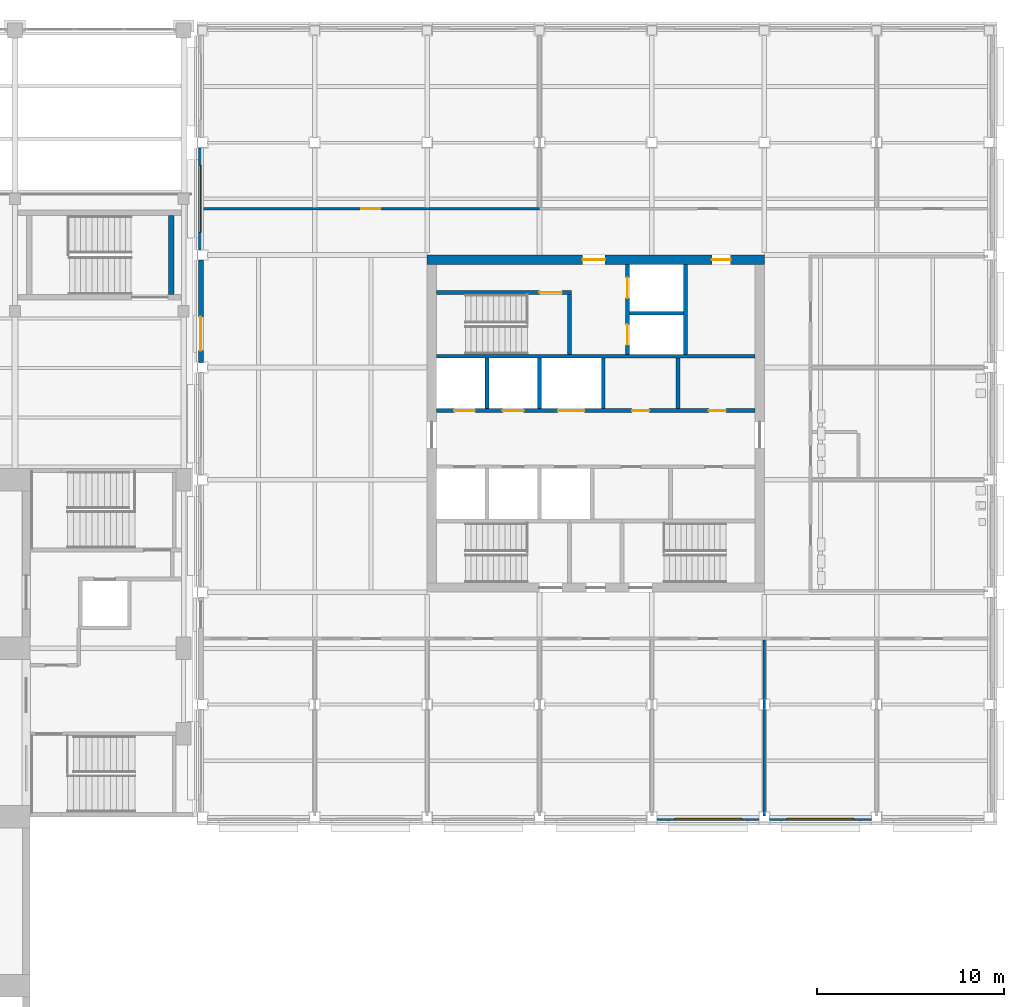
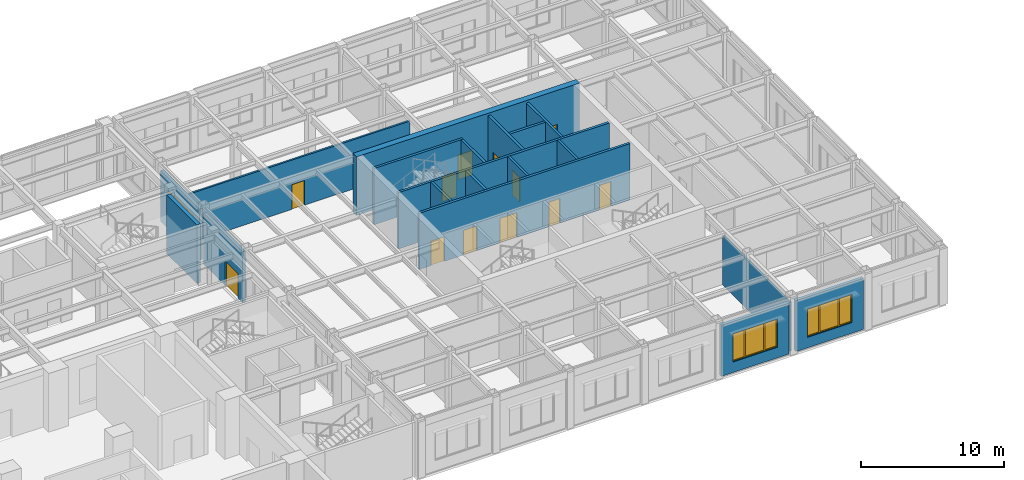
# One storey, part 42 of 76: 19 walls, 12 doors, 3 windows, 15 openings.
"""IFC4 building model written with IfcOpenShell, lengths in metres."""

from ifc_helpers import new_model, si_unit, direction, frame, frame_2d, origin, place, context, subcontext, project, spatial, polyline, rectangle, outline, extrude, material, layer, layer_set, type_object, element, fill, save


model = new_model("IFC4")

# Units and contexts
model_context = context("Model", 3, precision=1e-05, world=origin(), true_north=direction((0.0, 1.0)))
body_context = subcontext(model_context, "Body", "Model", "MODEL_VIEW")
ifc_project = project(units=[si_unit("LENGTHUNIT", "METRE"), si_unit("AREAUNIT", "SQUARE_METRE"), si_unit("VOLUMEUNIT", "CUBIC_METRE"), si_unit("PLANEANGLEUNIT", "RADIAN"), si_unit("MASSUNIT", "GRAM", prefix="KILO")], contexts=[model_context])

# Site, building, storey
site_placement = place(None, origin())
site = spatial("IfcSite", under=ifc_project, at=site_placement, CompositionType="ELEMENT")
building_placement = place(site_placement, origin())
building = spatial("IfcBuilding", under=site, at=building_placement, Name="Aravalli Gate Trade Fair Centre", CompositionType="ELEMENT")
storey_placement = place(building_placement, frame((0.0, 0.0, 10.0)))
storey = spatial("IfcBuildingStorey", under=building, at=storey_placement, Name="L02", CompositionType="ELEMENT", Elevation=10.0)

# Walls
ifc_material_1 = material(Name="Concrete M40", Category="concrete")
ifc_layer_1 = layer(ifc_material_1, 0.300048828125)
ifc_layer_set_1 = layer_set([ifc_layer_1], Name="Concrete M40")
wall_type_1 = type_object("IfcWallType", Name="RC core wall 300", PredefinedType="SHEAR", material=ifc_layer_set_1)
wall_1_placement = place(storey_placement, frame((158.35009765625, 118.89990234375, 0.0), z_axis=(0.0, 0.0, 1.0), x_axis=(0.0, 1.0, 0.0)))
element("IfcWall", 1, at=wall_1_placement, inside=storey, type_object=wall_type_1, Name="Core wall ESE L02", PredefinedType="SHEAR", context=body_context, shape_type="SweptSolid", body=[
    extrude(rectangle(XDim=4.2001953125, YDim=0.300048828125, at=frame_2d((2.10009765625, 0.0))), origin(), (0.0, 0.0, 1.0), 5.0),
])
ifc_material_2 = material(Name="Concrete M30", Category="concrete")
ifc_layer_2 = layer(ifc_material_2, 0.199951171875)
ifc_layer_set_2 = layer_set([ifc_layer_2], Name="Concrete M30")
wall_type_2 = type_object("IfcWallType", Name="Wing core internal wall 200 (EI 120, core wall)", PredefinedType="SOLIDWALL", material=ifc_layer_set_2)
wall_2_placement = place(storey_placement, frame((172.5, 115.60009765625, 0.0), z_axis=(0.0, 0.0, 1.0), x_axis=(1.0, 0.0, 0.0)))
element("IfcWall", 2, at=wall_2_placement, inside=storey, type_object=wall_type_2, Name="Core wall N-REAR L02", PredefinedType="SOLIDWALL", context=body_context, shape_type="SweptSolid", body=[
    extrude(rectangle(XDim=17.0, YDim=0.199951171875, at=frame_2d((8.5, 0.0))), origin(), (0.0, 0.0, 1.0), 4.800048828125),
])
ifc_layer_3 = layer(ifc_material_2, 0.199951171875)
ifc_layer_set_3 = layer_set([ifc_layer_3], Name="Concrete M30")
wall_type_3 = type_object("IfcWallType", Name="Wing core internal wall 200 (EI 120, firefighting shaft)", PredefinedType="SOLIDWALL", material=ifc_layer_set_3)
wall_3_placement = place(storey_placement, frame((179.60009765625, 115.699951171875, 0.0), z_axis=(0.0, 0.0, 1.0), x_axis=(0.0, 1.0, 0.0)))
element("IfcWall", 3, at=wall_3_placement, inside=storey, type_object=wall_type_3, Name="Core wall FF-AB L02", PredefinedType="SOLIDWALL", context=body_context, shape_type="SweptSolid", body=[
    extrude(rectangle(XDim=3.199951171875, YDim=0.199951171875, at=frame_2d((1.60009765625, 0.0))), origin(), (0.0, 0.0, 1.0), 4.800048828125),
])

# Wall, opening, door
wall_4_placement = place(storey_placement, frame((172.5, 119.0, 0.0), z_axis=(0.0, 0.0, 1.0), x_axis=(1.0, 0.0, 0.0)))
wall_4 = element("IfcWall", 4, at=wall_4_placement, inside=storey, type_object=wall_type_3, Name="Core wall FF-N L02", PredefinedType="SOLIDWALL", context=body_context, shape_type="SweptSolid", body=[
    extrude(rectangle(XDim=7.199951171875, YDim=0.199951171875, at=frame_2d((3.60009765625, 0.0))), origin(), (0.0, 0.0, 1.0), 4.800048828125),
])
opening_1_placement = place(wall_4_placement, frame((5.5, 0.0, 0.0)))
opening_1 = element("IfcOpeningElement", 5, at=opening_1_placement, cuts=wall_4, Name="Opening T-L02-131", PredefinedType="OPENING", context=body_context, shape_type="SweptSolid", body=[
    extrude(rectangle(XDim=1.199951171875, YDim=2.10009765625, at=frame_2d((0.60009765625, 1.050048828125))), frame((0.0, 0.10986328125, 0.0), z_axis=(0.0, -1.0, 0.0), x_axis=(1.0, 0.0, 0.0)), (0.0, 0.0, 1.0), 0.219970703125),
])
ifc_material_3 = material(Name="Steel, fire rated", Category="steel")
door_type_1 = type_object("IfcDoorType", Name="Wing fire door FD120 1200 x 2100", OperationType="SINGLE_SWING_LEFT", PredefinedType="DOOR", material=ifc_material_3)
door_1_placement = place(opening_1_placement, frame((1.199951171875, 0.0, 0.0), z_axis=(0.0, 0.0, 1.0), x_axis=(-1.0, 0.0, 0.0)))
door_1 = element("IfcDoor", 6, at=door_1_placement, inside=storey, type_object=door_type_1, Name="Core door T-L02-131", OperationType="SINGLE_SWING_LEFT", OverallHeight=2.10009765625, OverallWidth=1.199951171875, PredefinedType="DOOR", context=body_context, shape_type="SweptSolid", body=[
    extrude(rectangle(XDim=1.199951171875, YDim=2.10009765625, at=frame_2d((0.60009765625, 1.050048828125))), frame((0.0, 0.02490234375, 0.0), z_axis=(0.0, -1.0, 0.0), x_axis=(1.0, 0.0, 0.0)), (0.0, 0.0, 1.0), 0.050048828125),
])
fill(opening_1, door_1)

# Wall, openings, doors
wall_5_placement = place(storey_placement, frame((182.699951171875, 115.699951171875, 0.0), z_axis=(0.0, 0.0, 1.0), x_axis=(0.0, 1.0, 0.0)))
wall_5 = element("IfcWall", 7, at=wall_5_placement, inside=storey, type_object=wall_type_3, Name="Core wall FF-BC L02", PredefinedType="SOLIDWALL", context=body_context, shape_type="SweptSolid", body=[
    extrude(rectangle(XDim=4.800048828125, YDim=0.199951171875, at=frame_2d((2.39990234375, 0.0))), origin(), (0.0, 0.0, 1.0), 4.800048828125),
])
opening_2_placement = place(wall_5_placement, frame((0.5, 0.0, 0.0)))
opening_2 = element("IfcOpeningElement", 8, at=opening_2_placement, cuts=wall_5, Name="Opening T-L02-132", PredefinedType="OPENING", context=body_context, shape_type="SweptSolid", body=[
    extrude(rectangle(XDim=1.10009765625, YDim=2.10009765625, at=frame_2d((0.550048828125, 1.050048828125))), frame((0.0, 0.10986328125, 0.0), z_axis=(0.0, -1.0, 0.0), x_axis=(1.0, 0.0, 0.0)), (0.0, 0.0, 1.0), 0.219970703125),
])
opening_3_placement = place(wall_5_placement, frame((3.0, 0.0, 0.0)))
opening_3 = element("IfcOpeningElement", 9, at=opening_3_placement, cuts=wall_5, Name="Opening T-L02-133", PredefinedType="OPENING", context=body_context, shape_type="SweptSolid", body=[
    extrude(rectangle(XDim=1.10009765625, YDim=2.10009765625, at=frame_2d((0.550048828125, 1.050048828125))), frame((0.0, 0.10986328125, 0.0), z_axis=(0.0, -1.0, 0.0), x_axis=(1.0, 0.0, 0.0)), (0.0, 0.0, 1.0), 0.219970703125),
])
ifc_material_4 = material(Name="Elevator door panels")
door_type_2 = type_object("IfcDoorType", Name="Wing lift landing door 1100 x 2100", OperationType="SLIDING_TO_LEFT", PredefinedType="DOOR", material=ifc_material_4)
door_2_placement = place(opening_2_placement, origin())
door_2 = element("IfcDoor", 10, at=door_2_placement, inside=storey, type_object=door_type_2, Name="Landing door T-L02-132", OperationType="SLIDING_TO_LEFT", OverallHeight=2.10009765625, OverallWidth=1.10009765625, PredefinedType="DOOR", context=body_context, shape_type="SweptSolid", body=[
    extrude(rectangle(XDim=1.10009765625, YDim=2.10009765625, at=frame_2d((0.550048828125, 1.050048828125))), frame((0.0, 0.02490234375, 0.0), z_axis=(0.0, -1.0, 0.0), x_axis=(1.0, 0.0, 0.0)), (0.0, 0.0, 1.0), 0.050048828125),
])
fill(opening_2, door_2)
door_3_placement = place(opening_3_placement, origin())
door_3 = element("IfcDoor", 11, at=door_3_placement, inside=storey, type_object=door_type_2, Name="Landing door T-L02-133", OperationType="SLIDING_TO_LEFT", OverallHeight=2.10009765625, OverallWidth=1.10009765625, PredefinedType="DOOR", context=body_context, shape_type="SweptSolid", body=[
    extrude(rectangle(XDim=1.10009765625, YDim=2.10009765625, at=frame_2d((0.550048828125, 1.050048828125))), frame((0.0, 0.02490234375, 0.0), z_axis=(0.0, -1.0, 0.0), x_axis=(1.0, 0.0, 0.0)), (0.0, 0.0, 1.0), 0.050048828125),
])
fill(opening_3, door_3)

# Walls
wall_6_placement = place(storey_placement, frame((182.800048828125, 117.89990234375, 0.0), z_axis=(0.0, 0.0, 1.0), x_axis=(1.0, 0.0, 0.0)))
element("IfcWall", 12, at=wall_6_placement, inside=storey, type_object=wall_type_3, Name="Core wall FF-MID L02", PredefinedType="SOLIDWALL", context=body_context, shape_type="SweptSolid", body=[
    extrude(rectangle(XDim=2.89990234375, YDim=0.199951171875, at=frame_2d((1.449951171875, 0.0))), origin(), (0.0, 0.0, 1.0), 4.800048828125),
])
wall_7_placement = place(storey_placement, frame((185.800048828125, 115.699951171875, 0.0), z_axis=(0.0, 0.0, 1.0), x_axis=(0.0, 1.0, 0.0)))
element("IfcWall", 13, at=wall_7_placement, inside=storey, type_object=wall_type_3, Name="Core wall FF-CD L02", PredefinedType="SOLIDWALL", context=body_context, shape_type="SweptSolid", body=[
    extrude(rectangle(XDim=4.800048828125, YDim=0.199951171875, at=frame_2d((2.39990234375, 0.0))), origin(), (0.0, 0.0, 1.0), 4.800048828125),
])
ifc_layer_4 = layer(ifc_material_2, 0.199951171875)
ifc_layer_set_4 = layer_set([ifc_layer_4], Name="Concrete M30")
wall_type_4 = type_object("IfcWallType", Name="Wing core internal wall 200 (EI 120, lift shaft)", PredefinedType="SOLIDWALL", material=ifc_layer_set_4)
for number, where, z_axis, x_axis, name in (
    (14, (175.199951171875, 112.800048828125, 0.0), (0.0, 0.0, 1.0), (0.0, 1.0, 0.0), "Core wall NB-3.2 L02"),
    (15, (178.0, 112.800048828125, 0.0), (0.0, 0.0, 1.0), (0.0, 1.0, 0.0), "Core wall NB-6.0 L02"),
    (16, (181.39990234375, 112.800048828125, 0.0), (0.0, 0.0, 1.0), (0.0, 1.0, 0.0), "Core wall NB-9 L02"),
):
    element("IfcWall", number, at=place(storey_placement, frame(where, z_axis=z_axis, x_axis=x_axis)), inside=storey, type_object=wall_type_4, Name=name, PredefinedType="SOLIDWALL", context=body_context, shape_type="SweptSolid", body=[
        extrude(rectangle(XDim=2.699951171875, YDim=0.199951171875, at=frame_2d((1.35009765625, 0.0))), origin(), (0.0, 0.0, 1.0), 4.800048828125),
    ])

# Wall, openings, doors
wall_8_placement = place(storey_placement, frame((172.5, 112.699951171875, 0.0), z_axis=(0.0, 0.0, 1.0), x_axis=(1.0, 0.0, 0.0)))
wall_8 = element("IfcWall", 17, at=wall_8_placement, inside=storey, type_object=wall_type_4, Name="Core wall N-FRONT L02", PredefinedType="SOLIDWALL", context=body_context, shape_type="SweptSolid", body=[
    extrude(rectangle(XDim=17.0, YDim=0.199951171875, at=frame_2d((8.5, 0.0))), origin(), (0.0, 0.0, 1.0), 4.800048828125),
])
opening_4_placement = place(wall_8_placement, frame((0.949951171875, 0.0, 0.0)))
opening_4 = element("IfcOpeningElement", 18, at=opening_4_placement, cuts=wall_8, Name="Opening T-L02-121", PredefinedType="OPENING", context=body_context, shape_type="SweptSolid", body=[
    extrude(rectangle(XDim=1.10009765625, YDim=2.10009765625, at=frame_2d((0.550048828125, 1.050048828125))), frame((0.0, 0.10986328125, 0.0), z_axis=(0.0, -1.0, 0.0), x_axis=(1.0, 0.0, 0.0)), (0.0, 0.0, 1.0), 0.219970703125),
])
opening_5_placement = place(wall_8_placement, frame((3.550048828125, 0.0, 0.0)))
opening_5 = element("IfcOpeningElement", 19, at=opening_5_placement, cuts=wall_8, Name="Opening T-L02-122", PredefinedType="OPENING", context=body_context, shape_type="SweptSolid", body=[
    extrude(rectangle(XDim=1.10009765625, YDim=2.10009765625, at=frame_2d((0.550048828125, 1.050048828125))), frame((0.0, 0.10986328125, 0.0), z_axis=(0.0, -1.0, 0.0), x_axis=(1.0, 0.0, 0.0)), (0.0, 0.0, 1.0), 0.219970703125),
])
opening_6_placement = place(wall_8_placement, frame((6.5, 0.0, 0.0)))
opening_6 = element("IfcOpeningElement", 20, at=opening_6_placement, cuts=wall_8, Name="Opening T-L02-123", PredefinedType="OPENING", context=body_context, shape_type="SweptSolid", body=[
    extrude(rectangle(XDim=1.39990234375, YDim=2.10009765625, at=frame_2d((0.699951171875, 1.050048828125))), frame((0.0, 0.10986328125, 0.0), z_axis=(0.0, -1.0, 0.0), x_axis=(1.0, 0.0, 0.0)), (0.0, 0.0, 1.0), 0.219970703125),
])
opening_7_placement = place(wall_8_placement, frame((10.449951171875, 0.0, 0.0)))
opening_7 = element("IfcOpeningElement", 21, at=opening_7_placement, cuts=wall_8, Name="Opening T-L02-124", PredefinedType="OPENING", context=body_context, shape_type="SweptSolid", body=[
    extrude(rectangle(XDim=0.89990234375, YDim=2.10009765625, at=frame_2d((0.449951171875, 1.050048828125))), frame((0.0, 0.10986328125, 0.0), z_axis=(0.0, -1.0, 0.0), x_axis=(1.0, 0.0, 0.0)), (0.0, 0.0, 1.0), 0.219970703125),
])
opening_8_placement = place(wall_8_placement, frame((14.550048828125, 0.0, 0.0)))
opening_8 = element("IfcOpeningElement", 22, at=opening_8_placement, cuts=wall_8, Name="Opening T-L02-125", PredefinedType="OPENING", context=body_context, shape_type="SweptSolid", body=[
    extrude(rectangle(XDim=0.89990234375, YDim=2.10009765625, at=frame_2d((0.449951171875, 1.050048828125))), frame((0.0, 0.10986328125, 0.0), z_axis=(0.0, -1.0, 0.0), x_axis=(1.0, 0.0, 0.0)), (0.0, 0.0, 1.0), 0.219970703125),
])
door_type_3 = type_object("IfcDoorType", Name="Wing fire door FD120 900 x 2100", OperationType="SINGLE_SWING_LEFT", PredefinedType="DOOR", material=ifc_material_3)
door_4_placement = place(opening_7_placement, origin())
door_4 = element("IfcDoor", 23, at=door_4_placement, inside=storey, type_object=door_type_3, Name="Core door T-L02-124", OperationType="SINGLE_SWING_LEFT", OverallHeight=2.10009765625, OverallWidth=0.89990234375, PredefinedType="DOOR", context=body_context, shape_type="SweptSolid", body=[
    extrude(rectangle(XDim=0.89990234375, YDim=2.10009765625, at=frame_2d((0.449951171875, 1.050048828125))), frame((0.0, 0.02490234375, 0.0), z_axis=(0.0, -1.0, 0.0), x_axis=(1.0, 0.0, 0.0)), (0.0, 0.0, 1.0), 0.050048828125),
])
fill(opening_7, door_4)
door_5_placement = place(opening_8_placement, origin())
door_5 = element("IfcDoor", 24, at=door_5_placement, inside=storey, type_object=door_type_3, Name="Core door T-L02-125", OperationType="SINGLE_SWING_RIGHT", OverallHeight=2.10009765625, OverallWidth=0.89990234375, PredefinedType="DOOR", context=body_context, shape_type="SweptSolid", body=[
    extrude(rectangle(XDim=0.89990234375, YDim=2.10009765625, at=frame_2d((0.449951171875, 1.050048828125))), frame((0.0, 0.02490234375, 0.0), z_axis=(0.0, -1.0, 0.0), x_axis=(1.0, 0.0, 0.0)), (0.0, 0.0, 1.0), 0.050048828125),
])
fill(opening_8, door_5)
door_6_placement = place(opening_4_placement, origin())
door_6 = element("IfcDoor", 25, at=door_6_placement, inside=storey, type_object=door_type_2, Name="Landing door T-L02-121", OperationType="SLIDING_TO_LEFT", OverallHeight=2.10009765625, OverallWidth=1.10009765625, PredefinedType="DOOR", context=body_context, shape_type="SweptSolid", body=[
    extrude(rectangle(XDim=1.10009765625, YDim=2.10009765625, at=frame_2d((0.550048828125, 1.050048828125))), frame((0.0, 0.02490234375, 0.0), z_axis=(0.0, -1.0, 0.0), x_axis=(1.0, 0.0, 0.0)), (0.0, 0.0, 1.0), 0.050048828125),
])
fill(opening_4, door_6)
door_7_placement = place(opening_5_placement, origin())
door_7 = element("IfcDoor", 26, at=door_7_placement, inside=storey, type_object=door_type_2, Name="Landing door T-L02-122", OperationType="SLIDING_TO_LEFT", OverallHeight=2.10009765625, OverallWidth=1.10009765625, PredefinedType="DOOR", context=body_context, shape_type="SweptSolid", body=[
    extrude(rectangle(XDim=1.10009765625, YDim=2.10009765625, at=frame_2d((0.550048828125, 1.050048828125))), frame((0.0, 0.02490234375, 0.0), z_axis=(0.0, -1.0, 0.0), x_axis=(1.0, 0.0, 0.0)), (0.0, 0.0, 1.0), 0.050048828125),
])
fill(opening_5, door_7)
door_type_4 = type_object("IfcDoorType", Name="Wing lift landing door 1400 x 2100", OperationType="SLIDING_TO_LEFT", PredefinedType="DOOR", material=ifc_material_4)
door_8_placement = place(opening_6_placement, origin())
door_8 = element("IfcDoor", 27, at=door_8_placement, inside=storey, type_object=door_type_4, Name="Landing door T-L02-123", OperationType="SLIDING_TO_LEFT", OverallHeight=2.10009765625, OverallWidth=1.39990234375, PredefinedType="DOOR", context=body_context, shape_type="SweptSolid", body=[
    extrude(rectangle(XDim=1.39990234375, YDim=2.10009765625, at=frame_2d((0.699951171875, 1.050048828125))), frame((0.0, 0.02490234375, 0.0), z_axis=(0.0, -1.0, 0.0), x_axis=(1.0, 0.0, 0.0)), (0.0, 0.0, 1.0), 0.050048828125),
])
fill(opening_6, door_8)

# Wall
ifc_material_5 = material(Name="Concrete block masonry", Category="masonry")
ifc_layer_5 = layer(ifc_material_5, 0.199951171875)
ifc_layer_set_5 = layer_set([ifc_layer_5], Name="Concrete block masonry")
wall_type_5 = type_object("IfcWallType", Name="Wing core internal wall 200 (EI 120, riser shaft)", PredefinedType="SOLIDWALL", material=ifc_layer_set_5)
wall_9_placement = place(storey_placement, frame((185.39990234375, 112.800048828125, 0.0), z_axis=(0.0, 0.0, 1.0), x_axis=(0.0, 1.0, 0.0)))
element("IfcWall", 28, at=wall_9_placement, inside=storey, type_object=wall_type_5, Name="Core wall NB-13 L02", PredefinedType="SOLIDWALL", context=body_context, shape_type="SweptSolid", body=[
    extrude(rectangle(XDim=2.699951171875, YDim=0.199951171875, at=frame_2d((1.35009765625, 0.0))), origin(), (0.0, 0.0, 1.0), 4.800048828125),
])

# Wall, openings, doors
ifc_material_6 = material(Name="Concrete M50", Category="concrete")
ifc_layer_6 = layer(ifc_material_6, 0.5)
ifc_layer_set_6 = layer_set([ifc_layer_6], Name="Concrete M50")
wall_type_6 = type_object("IfcWallType", Name="Wing core shear wall 500", PredefinedType="SHEAR", material=ifc_layer_set_6)
wall_10_placement = place(storey_placement, frame((172.0, 120.75, 0.0), z_axis=(0.0, 0.0, 1.0), x_axis=(1.0, 0.0, 0.0)))
wall_10 = element("IfcWall", 29, at=wall_10_placement, inside=storey, type_object=wall_type_6, Name="Core wall N L02", PredefinedType="SHEAR", context=body_context, shape_type="SweptSolid", body=[
    extrude(rectangle(XDim=18.0, YDim=0.5, at=frame_2d((9.0, 0.0))), origin(), (0.0, 0.0, 1.0), 5.0),
])
opening_9_placement = place(wall_10_placement, frame((8.300048828125, 0.0, 0.0)))
opening_9 = element("IfcOpeningElement", 30, at=opening_9_placement, cuts=wall_10, Name="Opening T-L02-104", PredefinedType="OPENING", context=body_context, shape_type="SweptSolid", body=[
    extrude(rectangle(XDim=1.199951171875, YDim=2.10009765625, at=frame_2d((0.60009765625, 1.050048828125))), frame((0.0, 0.260009765625, 0.0), z_axis=(0.0, -1.0, 0.0), x_axis=(1.0, 0.0, 0.0)), (0.0, 0.0, 1.0), 0.52001953125),
])
opening_10_placement = place(wall_10_placement, frame((15.199951171875, 0.0, 0.0)))
opening_10 = element("IfcOpeningElement", 31, at=opening_10_placement, cuts=wall_10, Name="Opening T-L02-105", PredefinedType="OPENING", context=body_context, shape_type="SweptSolid", body=[
    extrude(rectangle(XDim=1.0, YDim=2.10009765625, at=frame_2d((0.5, 1.050048828125))), frame((0.0, 0.260009765625, 0.0), z_axis=(0.0, -1.0, 0.0), x_axis=(1.0, 0.0, 0.0)), (0.0, 0.0, 1.0), 0.52001953125),
])
door_type_5 = type_object("IfcDoorType", Name="Wing fire door FD120 1000 x 2100", OperationType="SINGLE_SWING_LEFT", PredefinedType="DOOR", material=ifc_material_3)
door_9_placement = place(opening_10_placement, frame((1.0, 0.0, 0.0), z_axis=(0.0, 0.0, 1.0), x_axis=(-1.0, 0.0, 0.0)))
door_9 = element("IfcDoor", 32, at=door_9_placement, inside=storey, type_object=door_type_5, Name="Core door T-L02-105", OperationType="SINGLE_SWING_LEFT", OverallHeight=2.10009765625, OverallWidth=1.0, PredefinedType="DOOR", context=body_context, shape_type="SweptSolid", body=[
    extrude(rectangle(XDim=1.0, YDim=2.10009765625, at=frame_2d((0.5, 1.050048828125))), frame((0.0, 0.02490234375, 0.0), z_axis=(0.0, -1.0, 0.0), x_axis=(1.0, 0.0, 0.0)), (0.0, 0.0, 1.0), 0.050048828125),
])
fill(opening_10, door_9)
door_10_placement = place(opening_9_placement, frame((1.199951171875, 0.0, 0.0), z_axis=(0.0, 0.0, 1.0), x_axis=(-1.0, 0.0, 0.0)))
door_10 = element("IfcDoor", 33, at=door_10_placement, inside=storey, type_object=door_type_1, Name="Core door T-L02-104", OperationType="SINGLE_SWING_LEFT", OverallHeight=2.10009765625, OverallWidth=1.199951171875, PredefinedType="DOOR", context=body_context, shape_type="SweptSolid", body=[
    extrude(rectangle(XDim=1.199951171875, YDim=2.10009765625, at=frame_2d((0.60009765625, 1.050048828125))), frame((0.0, 0.02490234375, 0.0), z_axis=(0.0, -1.0, 0.0), x_axis=(1.0, 0.0, 0.0)), (0.0, 0.0, 1.0), 0.050048828125),
])
fill(opening_9, door_10)

# Wall
ifc_material_7 = material(Name="Blockwork with fire-rated lining", Category="masonry")
ifc_layer_7 = layer(ifc_material_7, 0.14990234375)
ifc_layer_set_7 = layer_set([ifc_layer_7], Name="Blockwork with fire-rated lining")
wall_type_7 = type_object("IfcWallType", Name="Wing partition 150 (EI 60, corridor wall)", PredefinedType="PARTITIONING", material=ifc_layer_set_7)
wall_11_placement = place(storey_placement, frame((190.0, 91.050048828125, 0.0), z_axis=(0.0, 0.0, 1.0), x_axis=(0.0, 1.0, 0.0)))
element("IfcWall", 34, at=wall_11_placement, inside=storey, type_object=wall_type_7, Name="Partition SP5 L02", PredefinedType="PARTITIONING", context=body_context, shape_type="SweptSolid", body=[
    extrude(rectangle(XDim=9.39990234375, YDim=0.14990234375, at=frame_2d((4.699951171875, 0.0))), origin(), (0.0, 0.0, 1.0), 4.199951171875),
])

# Wall, opening, door
wall_12_placement = place(storey_placement, frame((160.050048828125, 123.47509765625, 0.0), z_axis=(0.0, 0.0, 1.0), x_axis=(1.0, 0.0, 0.0)))
wall_12 = element("IfcWall", 35, at=wall_12_placement, inside=storey, type_object=wall_type_7, Name="Partition NW1 L02", PredefinedType="PARTITIONING", context=body_context, shape_type="SweptSolid", body=[
    extrude(rectangle(XDim=17.949951171875, YDim=0.14990234375, at=frame_2d((8.97509765625, 0.0))), origin(), (0.0, 0.0, 1.0), 4.199951171875),
])
opening_11_placement = place(wall_12_placement, frame((8.4375, 0.0, 0.0)))
opening_11 = element("IfcOpeningElement", 36, at=opening_11_placement, cuts=wall_12, Name="Opening T-L02-148", PredefinedType="OPENING", context=body_context, shape_type="SweptSolid", body=[
    extrude(rectangle(XDim=1.0, YDim=2.10009765625, at=frame_2d((0.5, 1.050048828125))), frame((0.0, 0.0849609375, 0.0), z_axis=(0.0, -1.0, 0.0), x_axis=(1.0, 0.0, 0.0)), (0.0, 0.0, 1.0), 0.169921875),
])
door_type_6 = type_object("IfcDoorType", Name="Wing fire door FD60 1000 x 2100", OperationType="SINGLE_SWING_LEFT", PredefinedType="DOOR", material=ifc_material_3)
door_11_placement = place(opening_11_placement, origin())
door_11 = element("IfcDoor", 37, at=door_11_placement, inside=storey, type_object=door_type_6, Name="Door T-L02-148", OperationType="SINGLE_SWING_RIGHT", OverallHeight=2.10009765625, OverallWidth=1.0, PredefinedType="DOOR", context=body_context, shape_type="SweptSolid", body=[
    extrude(rectangle(XDim=1.0, YDim=2.10009765625, at=frame_2d((0.5, 1.050048828125))), frame((0.0, 0.02490234375, 0.0), z_axis=(0.0, -1.0, 0.0), x_axis=(1.0, 0.0, 0.0)), (0.0, 0.0, 1.0), 0.050048828125),
])
fill(opening_11, door_11)

# Wall, opening, window
ifc_layer_8 = layer(ifc_material_5, 0.2099609375, Name="Block masonry")
ifc_material_8 = material(Name="Terracotta cladding", Category="masonry")
ifc_layer_9 = layer(ifc_material_8, 0.0400390625, Name="Terracotta cladding")
ifc_layer_set_8 = layer_set([ifc_layer_8, ifc_layer_9], Name="Wing terracotta clad infill wall 250")
wall_type_8 = type_object("IfcWallType", Name="Wing terracotta clad infill wall 250", PredefinedType="SOLIDWALL", material=ifc_layer_set_8)
wall_13_placement = place(storey_placement, frame((184.27490234375, 90.925048828125, 0.0), z_axis=(0.0, 0.0, 1.0), x_axis=(1.0, 0.0, 0.0)))
wall_13 = element("IfcWall", 38, at=wall_13_placement, inside=storey, type_object=wall_type_8, Name="Facade wall S4 L02", PredefinedType="SOLIDWALL", context=body_context, shape_type="SweptSolid", body=[
    extrude(rectangle(XDim=5.4501953125, YDim=0.25, at=frame_2d((2.72509765625, 0.0))), origin(), (0.0, 0.0, 1.0), 4.35009765625),
])
opening_12_placement = place(wall_13_placement, frame((0.925048828125, 0.0, 0.89990234375)))
opening_12 = element("IfcOpeningElement", 39, at=opening_12_placement, cuts=wall_13, Name="Opening TWN1", PredefinedType="OPENING", context=body_context, shape_type="SweptSolid", body=[
    extrude(rectangle(XDim=3.60009765625, YDim=2.39990234375, at=frame_2d((1.800048828125, 1.199951171875))), frame((0.0, 0.135009765625, 0.0), z_axis=(0.0, -1.0, 0.0), x_axis=(1.0, 0.0, 0.0)), (0.0, 0.0, 1.0), 0.27001953125),
])
ifc_material_9 = material(Name="Aluminium and glass", Category="aluminium")
window_type = type_object("IfcWindowType", Name="Wing chicago window 3600 x 2400", PartitioningType="TRIPLE_PANEL_VERTICAL", PredefinedType="WINDOW", material=ifc_material_9)
window_1_placement = place(opening_12_placement, origin())
window_1 = element("IfcWindow", 40, at=window_1_placement, inside=storey, type_object=window_type, Name="Window S4 L02", OverallHeight=2.39990234375, OverallWidth=3.60009765625, PartitioningType="TRIPLE_PANEL_VERTICAL", PredefinedType="WINDOW", context=body_context, shape_type="SweptSolid", body=[
    extrude(outline(polyline([(0.0, 0.0), (3.60009765625, 0.0), (3.60009765625, 2.39990234375), (0.0, 2.39990234375), (0.0, 0.0)]), holes=[polyline([(0.06005859375, 0.06005859375), (0.9599609375, 0.06005859375), (0.9599609375, 2.33984375), (0.06005859375, 2.33984375), (0.06005859375, 0.06005859375)]), polyline([(1.06005859375, 0.06005859375), (2.539794921875, 0.06005859375), (2.539794921875, 2.33984375), (1.06005859375, 2.33984375), (1.06005859375, 0.06005859375)]), polyline([(2.639892578125, 0.06005859375), (3.539794921875, 0.06005859375), (3.539794921875, 2.33984375), (2.639892578125, 2.33984375), (2.639892578125, 0.06005859375)])]), frame((0.0, 0.030029296875, 0.0), z_axis=(0.0, -1.0, 0.0), x_axis=(1.0, 0.0, 0.0)), (0.0, 0.0, 1.0), 0.06005859375),
    extrude(rectangle(XDim=0.923828125, YDim=2.3037109375, at=frame_2d((0.510009765625, 1.199951171875))), frame((0.0, 0.010009765625, 0.0), z_axis=(0.0, -1.0, 0.0), x_axis=(1.0, 0.0, 0.0)), (0.0, 0.0, 1.0), 0.02001953125),
    extrude(rectangle(XDim=1.503662109375, YDim=2.3037109375, at=frame_2d((1.7998046875, 1.199951171875))), frame((0.0, 0.010009765625, 0.0), z_axis=(0.0, -1.0, 0.0), x_axis=(1.0, 0.0, 0.0)), (0.0, 0.0, 1.0), 0.02001953125),
    extrude(rectangle(XDim=0.923828125, YDim=2.3037109375, at=frame_2d((3.08984375, 1.199951171875))), frame((0.0, 0.010009765625, 0.0), z_axis=(0.0, -1.0, 0.0), x_axis=(1.0, 0.0, 0.0)), (0.0, 0.0, 1.0), 0.02001953125),
])
fill(opening_12, window_1)

wall_14_placement = place(storey_placement, frame((190.27490234375, 90.925048828125, 0.0), z_axis=(0.0, 0.0, 1.0), x_axis=(1.0, 0.0, 0.0)))
wall_14 = element("IfcWall", 41, at=wall_14_placement, inside=storey, type_object=wall_type_8, Name="Facade wall S5 L02", PredefinedType="SOLIDWALL", context=body_context, shape_type="SweptSolid", body=[
    extrude(rectangle(XDim=5.4501953125, YDim=0.25, at=frame_2d((2.72509765625, 0.0))), origin(), (0.0, 0.0, 1.0), 4.35009765625),
])
opening_13_placement = place(wall_14_placement, frame((0.925048828125, 0.0, 0.89990234375)))
opening_13 = element("IfcOpeningElement", 42, at=opening_13_placement, cuts=wall_14, Name="Opening TWN1", PredefinedType="OPENING", context=body_context, shape_type="SweptSolid", body=[
    extrude(rectangle(XDim=3.60009765625, YDim=2.39990234375, at=frame_2d((1.800048828125, 1.199951171875))), frame((0.0, 0.135009765625, 0.0), z_axis=(0.0, -1.0, 0.0), x_axis=(1.0, 0.0, 0.0)), (0.0, 0.0, 1.0), 0.27001953125),
])
window_2_placement = place(opening_13_placement, origin())
window_2 = element("IfcWindow", 43, at=window_2_placement, inside=storey, type_object=window_type, Name="Window S5 L02", OverallHeight=2.39990234375, OverallWidth=3.60009765625, PartitioningType="TRIPLE_PANEL_VERTICAL", PredefinedType="WINDOW", context=body_context, shape_type="SweptSolid", body=[
    extrude(outline(polyline([(0.0, 0.0), (3.60009765625, 0.0), (3.60009765625, 2.39990234375), (0.0, 2.39990234375), (0.0, 0.0)]), holes=[polyline([(0.06005859375, 0.06005859375), (0.9599609375, 0.06005859375), (0.9599609375, 2.33984375), (0.06005859375, 2.33984375), (0.06005859375, 0.06005859375)]), polyline([(1.06005859375, 0.06005859375), (2.539794921875, 0.06005859375), (2.539794921875, 2.33984375), (1.06005859375, 2.33984375), (1.06005859375, 0.06005859375)]), polyline([(2.639892578125, 0.06005859375), (3.539794921875, 0.06005859375), (3.539794921875, 2.33984375), (2.639892578125, 2.33984375), (2.639892578125, 0.06005859375)])]), frame((0.0, 0.030029296875, 0.0), z_axis=(0.0, -1.0, 0.0), x_axis=(1.0, 0.0, 0.0)), (0.0, 0.0, 1.0), 0.06005859375),
    extrude(rectangle(XDim=0.923828125, YDim=2.3037109375, at=frame_2d((0.510009765625, 1.199951171875))), frame((0.0, 0.010009765625, 0.0), z_axis=(0.0, -1.0, 0.0), x_axis=(1.0, 0.0, 0.0)), (0.0, 0.0, 1.0), 0.02001953125),
    extrude(rectangle(XDim=1.503662109375, YDim=2.3037109375, at=frame_2d((1.7998046875, 1.199951171875))), frame((0.0, 0.010009765625, 0.0), z_axis=(0.0, -1.0, 0.0), x_axis=(1.0, 0.0, 0.0)), (0.0, 0.0, 1.0), 0.02001953125),
    extrude(rectangle(XDim=0.923828125, YDim=2.3037109375, at=frame_2d((3.08984375, 1.199951171875))), frame((0.0, 0.010009765625, 0.0), z_axis=(0.0, -1.0, 0.0), x_axis=(1.0, 0.0, 0.0)), (0.0, 0.0, 1.0), 0.02001953125),
])
fill(opening_13, window_2)

# Wall, opening, door
ifc_layer_10 = layer(ifc_material_5, 0.2099609375, Name="Block masonry")
ifc_layer_11 = layer(ifc_material_8, 0.0400390625, Name="Terracotta cladding")
ifc_layer_set_9 = layer_set([ifc_layer_10, ifc_layer_11], Name="Wing west closing wall 250")
wall_type_9 = type_object("IfcWallType", Name="Wing west closing wall 250", PredefinedType="SOLIDWALL", material=ifc_layer_set_9)
wall_15_placement = place(storey_placement, frame((159.925048828125, 115.27490234375, 0.0), z_axis=(0.0, 0.0, 1.0), x_axis=(0.0, 1.0, 0.0)))
wall_15 = element("IfcWall", 44, at=wall_15_placement, inside=storey, type_object=wall_type_9, Name="Facade wall W4 L02", PredefinedType="SOLIDWALL", context=body_context, shape_type="SweptSolid", body=[
    extrude(rectangle(XDim=5.4501953125, YDim=0.25, at=frame_2d((2.72509765625, 0.0))), origin(), (0.0, 0.0, 1.0), 4.35009765625),
])
opening_14_placement = place(wall_15_placement, frame((0.625, 0.0, 0.0)))
opening_14 = element("IfcOpeningElement", 45, at=opening_14_placement, cuts=wall_15, Name="Opening T-L02-182", PredefinedType="OPENING", context=body_context, shape_type="SweptSolid", body=[
    extrude(rectangle(XDim=1.800048828125, YDim=2.10009765625, at=frame_2d((0.89990234375, 1.050048828125))), frame((0.0, 0.135009765625, 0.0), z_axis=(0.0, -1.0, 0.0), x_axis=(1.0, 0.0, 0.0)), (0.0, 0.0, 1.0), 0.27001953125),
])
door_type_7 = type_object("IfcDoorType", Name="Wing fire door FD120 1800 x 2100", OperationType="DOUBLE_DOOR_SINGLE_SWING", PredefinedType="DOOR", material=ifc_material_3)
door_12_placement = place(opening_14_placement, origin())
door_12 = element("IfcDoor", 46, at=door_12_placement, inside=storey, type_object=door_type_7, Name="Door T-L02-182", OperationType="DOUBLE_DOOR_SINGLE_SWING", OverallHeight=2.10009765625, OverallWidth=1.800048828125, PredefinedType="DOOR", context=body_context, shape_type="SweptSolid", body=[
    extrude(rectangle(XDim=1.800048828125, YDim=2.10009765625, at=frame_2d((0.89990234375, 1.050048828125))), frame((0.0, 0.02490234375, 0.0), z_axis=(0.0, -1.0, 0.0), x_axis=(1.0, 0.0, 0.0)), (0.0, 0.0, 1.0), 0.050048828125),
])
fill(opening_14, door_12)

# Wall, opening, window
wall_16_placement = place(storey_placement, frame((159.925048828125, 121.27490234375, 0.0), z_axis=(0.0, 0.0, 1.0), x_axis=(0.0, 1.0, 0.0)))
wall_16 = element("IfcWall", 47, at=wall_16_placement, inside=storey, type_object=wall_type_9, Name="Facade wall W5 L02", PredefinedType="SOLIDWALL", context=body_context, shape_type="SweptSolid", body=[
    extrude(rectangle(XDim=5.4501953125, YDim=0.25, at=frame_2d((2.72509765625, 0.0))), origin(), (0.0, 0.0, 1.0), 4.35009765625),
])
opening_15_placement = place(wall_16_placement, frame((0.925048828125, 0.0, 0.89990234375)))
opening_15 = element("IfcOpeningElement", 48, at=opening_15_placement, cuts=wall_16, Name="Opening TWN1", PredefinedType="OPENING", context=body_context, shape_type="SweptSolid", body=[
    extrude(rectangle(XDim=3.60009765625, YDim=2.39990234375, at=frame_2d((1.800048828125, 1.199951171875))), frame((0.0, 0.135009765625, 0.0), z_axis=(0.0, -1.0, 0.0), x_axis=(1.0, 0.0, 0.0)), (0.0, 0.0, 1.0), 0.27001953125),
])
window_3_placement = place(opening_15_placement, origin())
window_3 = element("IfcWindow", 49, at=window_3_placement, inside=storey, type_object=window_type, Name="Window W5 L02", OverallHeight=2.39990234375, OverallWidth=3.60009765625, PartitioningType="TRIPLE_PANEL_VERTICAL", PredefinedType="WINDOW", context=body_context, shape_type="SweptSolid", body=[
    extrude(outline(polyline([(0.0, 0.0), (3.60009765625, 0.0), (3.60009765625, 2.39990234375), (0.0, 2.39990234375), (0.0, 0.0)]), holes=[polyline([(0.06005859375, 0.06005859375), (0.9599609375, 0.06005859375), (0.9599609375, 2.33984375), (0.06005859375, 2.33984375), (0.06005859375, 0.06005859375)]), polyline([(1.06005859375, 0.06005859375), (2.539794921875, 0.06005859375), (2.539794921875, 2.33984375), (1.06005859375, 2.33984375), (1.06005859375, 0.06005859375)]), polyline([(2.639892578125, 0.06005859375), (3.539794921875, 0.06005859375), (3.539794921875, 2.33984375), (2.639892578125, 2.33984375), (2.639892578125, 0.06005859375)])]), frame((0.0, 0.030029296875, 0.0), z_axis=(0.0, -1.0, 0.0), x_axis=(1.0, 0.0, 0.0)), (0.0, 0.0, 1.0), 0.06005859375),
    extrude(rectangle(XDim=0.923828125, YDim=2.3037109375, at=frame_2d((0.510009765625, 1.199951171875))), frame((0.0, 0.010009765625, 0.0), z_axis=(0.0, -1.0, 0.0), x_axis=(1.0, 0.0, 0.0)), (0.0, 0.0, 1.0), 0.02001953125),
    extrude(rectangle(XDim=1.503662109375, YDim=2.3037109375, at=frame_2d((1.7998046875, 1.199951171875))), frame((0.0, 0.010009765625, 0.0), z_axis=(0.0, -1.0, 0.0), x_axis=(1.0, 0.0, 0.0)), (0.0, 0.0, 1.0), 0.02001953125),
    extrude(rectangle(XDim=0.923828125, YDim=2.3037109375, at=frame_2d((3.08984375, 1.199951171875))), frame((0.0, 0.010009765625, 0.0), z_axis=(0.0, -1.0, 0.0), x_axis=(1.0, 0.0, 0.0)), (0.0, 0.0, 1.0), 0.02001953125),
])
fill(opening_15, window_3)

save(model, "model.ifc")
